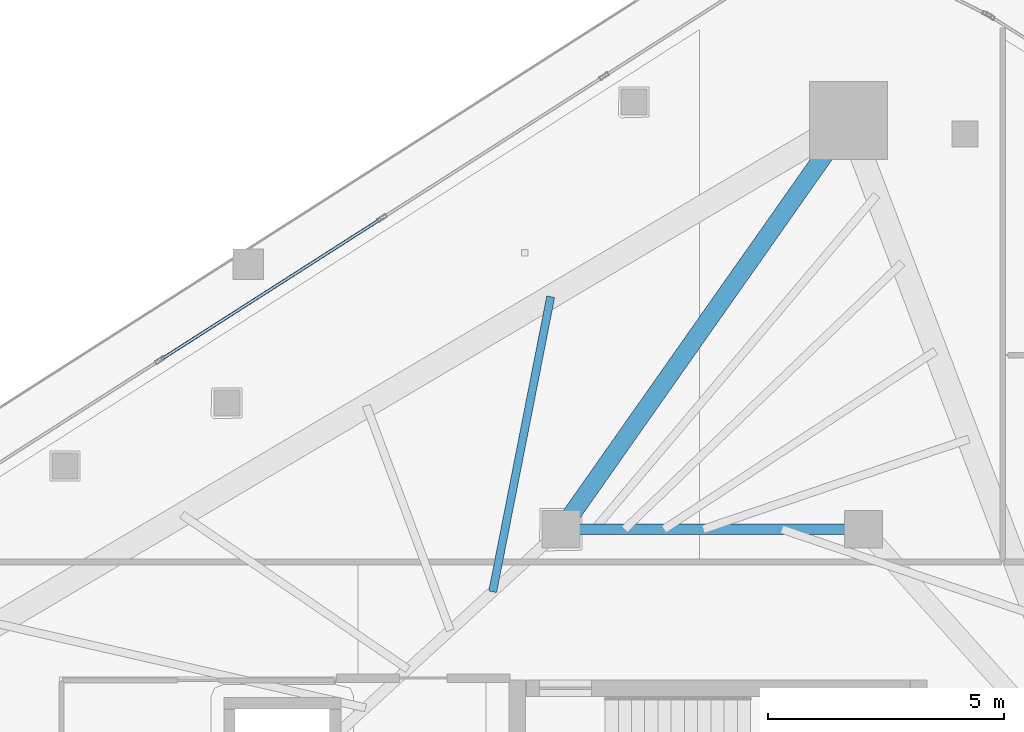
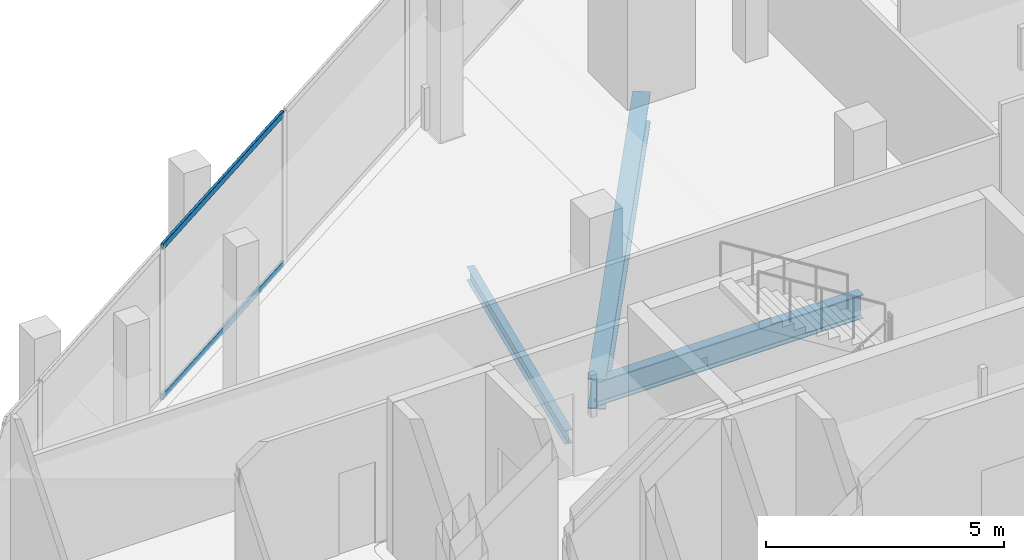
# One storey, part 18 of 34: 3 beams, 2 members, 1 element without a shape of its own.
"""IFC4 building model written with IfcOpenShell, lengths in metres."""

from ifc_helpers import new_model, si_unit, direction, frame, origin, origin_2d, place, context, subcontext, project, spatial, hollow_rectangle, i_section, extrude, material, layer, layer_set, material_profile, profile_set, type_object, element, aggregate, save


model = new_model("IFC4")

# Units and contexts
model_context = context("Model", 3, precision=1e-05, world=origin(), true_north=direction((0.0, 1.0)))
body_context = subcontext(model_context, "Body", "Model", "MODEL_VIEW")
ifc_project = project(units=[si_unit("LENGTHUNIT", "METRE"), si_unit("AREAUNIT", "SQUARE_METRE"), si_unit("VOLUMEUNIT", "CUBIC_METRE"), si_unit("PLANEANGLEUNIT", "RADIAN"), si_unit("MASSUNIT", "GRAM", prefix="KILO")], contexts=[model_context])

# Site, building, storey
site_placement = place(None, origin())
site = spatial("IfcSite", under=ifc_project, at=site_placement, CompositionType="ELEMENT")
building_placement = place(site_placement, origin())
building = spatial("IfcBuilding", under=site, at=building_placement, Name="Qorvath Tower", CompositionType="ELEMENT")
storey_placement = place(building_placement, frame((0.0, 0.0, 268.199951171875)))
storey = spatial("IfcBuildingStorey", under=building, at=storey_placement, Name="L62", CompositionType="ELEMENT", Elevation=268.199951171875)

# Beams
ifc_material_1 = material(Name="Steel ASTM A992 Grade 50", Category="steel")
ifc_material_profile_1 = material_profile(ifc_material_1, i_section(OverallWidth=0.381103515625, OverallDepth=0.77294921875, WebThickness=0.0166015625, FlangeThickness=0.027099609375, FilletRadius=0.01904296875, at=origin_2d()), Name="W30x173")
ifc_profile_set_1 = profile_set([ifc_material_profile_1], Name="Steel ASTM A992 Grade 50")
beam_type_1 = type_object("IfcBeamType", Name="BM-FG3", PredefinedType="BEAM", material=ifc_profile_set_1)
beam_1_placement = place(storey_placement, frame((-23.60009765625, 11.449951171875, -0.676513671875), z_axis=(0.575274974004, 0.81796008722, 0.0), x_axis=(-0.81796008722, 0.575274974004, 0.0)))
element("IfcBeam", 1, at=beam_1_placement, inside=storey, type_object=beam_type_1, Name="Radial Floor Girder CC1-MC6 L62", PredefinedType="BEAM", context=body_context, shape_type="SweptSolid", body=[
    extrude(i_section(OverallWidth=0.381103515625, OverallDepth=0.77294921875, WebThickness=0.0166015625, FlangeThickness=0.027099609375, FilletRadius=0.01904296875, at=origin_2d()), origin(), (0.0, 0.0, 1.0), 10.5771484375),
])
ifc_material_2 = material(Name="Steel ASTM A992 Grade 50", Category="steel")
ifc_material_profile_2 = material_profile(ifc_material_2, i_section(OverallWidth=0.22998046875, OverallDepth=0.616943359375, WebThickness=0.01318359375, FlangeThickness=0.022216796875, FilletRadius=0.014892578125, at=origin_2d()), Name="W24x94")
ifc_profile_set_2 = profile_set([ifc_material_profile_2], Name="Steel ASTM A992 Grade 50")
beam_type_2 = type_object("IfcBeamType", Name="BM-FG6", PredefinedType="BEAM", material=ifc_profile_set_2)
beam_2_placement = place(storey_placement, frame((-23.60009765625, 11.449951171875, -0.5986328125), z_axis=(1.0, 0.0, 0.0), x_axis=(0.0, 1.0, 0.0)))
element("IfcBeam", 2, at=beam_2_placement, inside=storey, type_object=beam_type_2, Name="Core Ring Girder CC1-CC2 L62", PredefinedType="BEAM", context=body_context, shape_type="SweptSolid", body=[
    extrude(i_section(OverallWidth=0.22998046875, OverallDepth=0.616943359375, WebThickness=0.01318359375, FlangeThickness=0.022216796875, FilletRadius=0.014892578125, at=origin_2d()), origin(), (0.0, 0.0, 1.0), 6.400146484375),
])
ifc_material_3 = material(Name="Steel ASTM A992 Grade 50", Category="steel")
ifc_material_profile_3 = material_profile(ifc_material_3, i_section(OverallWidth=0.1708984375, OverallDepth=0.35107421875, WebThickness=0.0068359375, FlangeThickness=0.009765625, FilletRadius=0.010009765625, at=origin_2d()), Name="W14x30")
ifc_profile_set_3 = profile_set([ifc_material_profile_3], Name="Steel ASTM A992 Grade 50")
beam_type_3 = type_object("IfcBeamType", Name="BM-FJ4", PredefinedType="JOIST", material=ifc_profile_set_3)
beam_3_placement = place(storey_placement, frame((-25.049072265625, 10.126953125, -0.465576171875), z_axis=(0.193040016911, 0.981190884523, 0.0), x_axis=(-0.981190884523, 0.193040016911, 0.0)))
element("IfcBeam", 3, at=beam_3_placement, inside=storey, type_object=beam_type_3, Name="Composite Floor Joist NW6 L62", PredefinedType="JOIST", context=body_context, shape_type="SweptSolid", body=[
    extrude(i_section(OverallWidth=0.1708984375, OverallDepth=0.35107421875, WebThickness=0.0068359375, FlangeThickness=0.009765625, FilletRadius=0.010009765625, at=origin_2d()), origin(), (0.0, 0.0, 1.0), 6.366455078125),
])

# Curtain wall, members
ifc_material_4 = material(Name="Anodised aluminium and triple low-E glass", Category="aluminium")
ifc_layer = layer(ifc_material_4, 0.179931640625)
ifc_layer_set = layer_set([ifc_layer], Name="CW-SYS-4")
curtain_wall_type = type_object("IfcCurtainWallType", Name="CW-SYS-4", PredefinedType="NOTDEFINED", material=ifc_layer_set)
curtain_wall_placement = place(storey_placement, origin())
curtain_wall = element("IfcCurtainWall", 4, at=curtain_wall_placement, inside=storey, type_object=curtain_wall_type, Name="Curtain Wall CW-4 CW-T-L62-16.1", PredefinedType="NOTDEFINED")
ifc_material_5 = material(Name="Anodised aluminium 6063-T6", Category="aluminium")
ifc_material_profile_4 = material_profile(ifc_material_5, hollow_rectangle(XDim=0.06494140625, YDim=0.159912109375, WallThickness=0.00341796875, InnerFilletRadius=0.00341796875, OuterFilletRadius=0.007080078125, at=origin_2d()), Name="CWT 160x65")
ifc_profile_set_4 = profile_set([ifc_material_profile_4], Name="Anodised aluminium 6063-T6")
member_type = type_object("IfcMemberType", Name="CWT-160", PredefinedType="USERDEFINED", material=ifc_profile_set_4)
member_1_placement = place(storey_placement, frame((-27.422119140625, 18.015380859375, 0.032470703125), z_axis=(-0.842597346925, -0.538544065935, 0.0), x_axis=(0.538544065935, -0.842597346925, 0.0)))
member_1 = element("IfcMember", 5, at=member_1_placement, type_object=member_type, Name="CW-4 transom 3.1", ObjectType="TRANSOM", PredefinedType="USERDEFINED", context=body_context, shape_type="SweptSolid", body=[
    extrude(hollow_rectangle(XDim=0.06494140625, YDim=0.159912109375, WallThickness=0.00341796875, InnerFilletRadius=0.00341796875, OuterFilletRadius=0.007080078125, at=origin_2d()), origin(), (0.0, 0.0, 1.0), 5.506591796875),
])
member_2_placement = place(storey_placement, frame((-27.422119140625, 18.015380859375, 3.877685546875), z_axis=(-0.842597346925, -0.538544065935, 0.0), x_axis=(0.538544065935, -0.842597346925, 0.0)))
member_2 = element("IfcMember", 6, at=member_2_placement, type_object=member_type, Name="CW-4 transom 3.2", ObjectType="TRANSOM", PredefinedType="USERDEFINED", context=body_context, shape_type="SweptSolid", body=[
    extrude(hollow_rectangle(XDim=0.06494140625, YDim=0.159912109375, WallThickness=0.00341796875, InnerFilletRadius=0.00341796875, OuterFilletRadius=0.007080078125, at=origin_2d()), origin(), (0.0, 0.0, 1.0), 5.506591796875),
])
aggregate(curtain_wall, [member_1, member_2])

save(model, "model.ifc")
